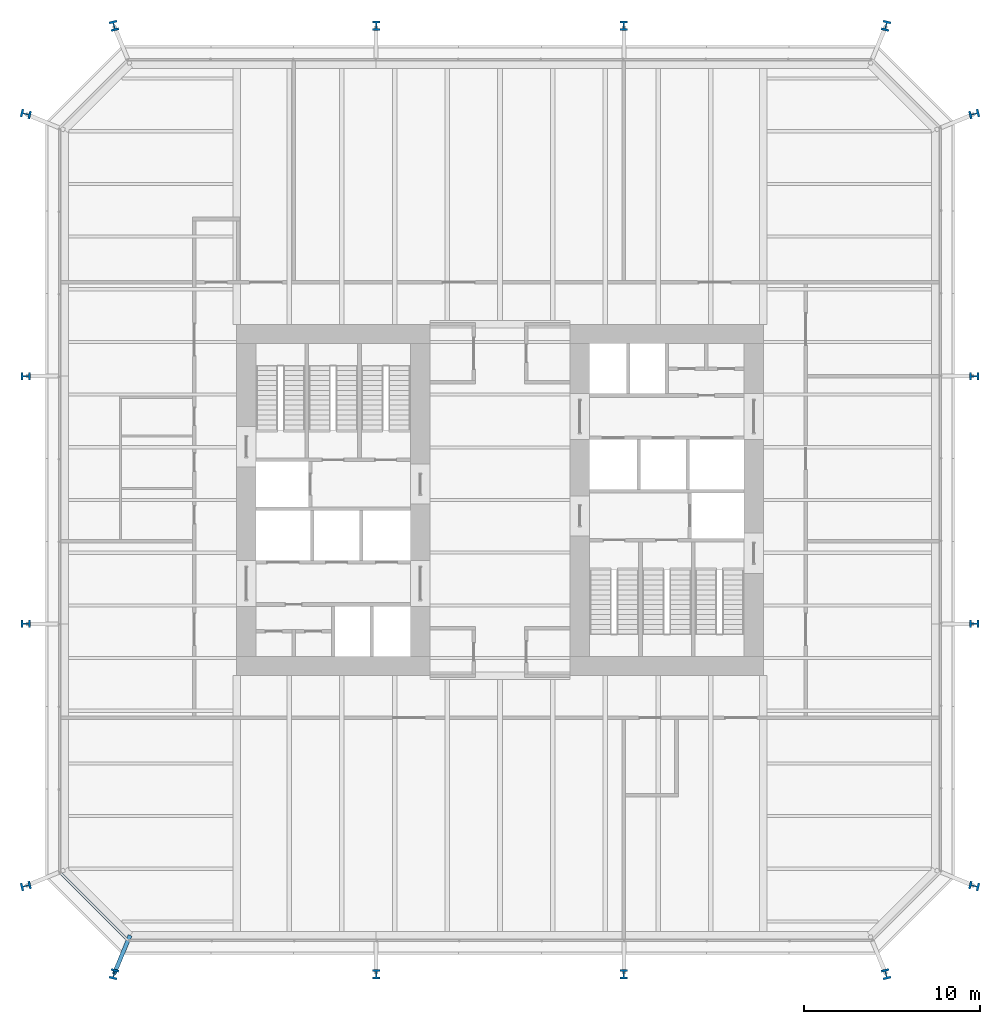
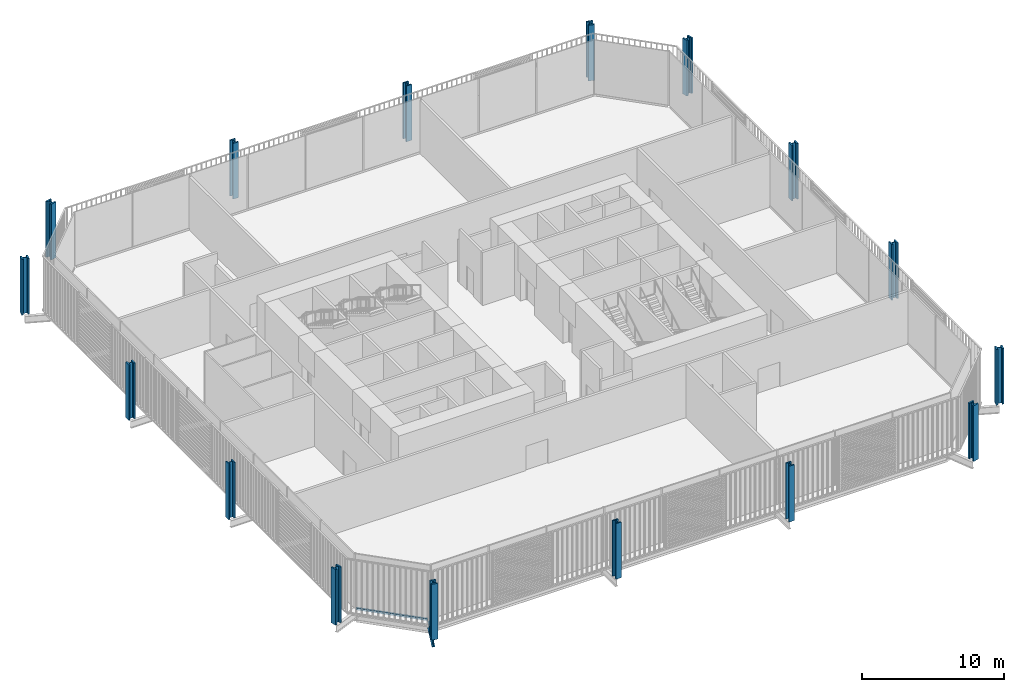
# One storey, part 1 of 22: 16 columns, 1 beam, 1 member, 1 element without a shape of its own.
"""IFC4 building model written with IfcOpenShell, lengths in metres."""

from ifc_helpers import new_model, si_unit, direction, frame, origin, origin_2d, place, context, subcontext, project, spatial, rectangle, i_section, extrude, material, layer, layer_set, material_profile, profile_set, type_object, element, aggregate, save


model = new_model("IFC4")

# Units and contexts
model_context = context("Model", 3, precision=1e-05, world=origin(), true_north=direction((0.0, 1.0)))
body_context = subcontext(model_context, "Body", "Model", "MODEL_VIEW")
ifc_project = project(units=[si_unit("LENGTHUNIT", "METRE"), si_unit("AREAUNIT", "SQUARE_METRE"), si_unit("VOLUMEUNIT", "CUBIC_METRE"), si_unit("PLANEANGLEUNIT", "RADIAN"), si_unit("MASSUNIT", "GRAM", prefix="KILO")], contexts=[model_context])

# Site, building, storey
site_placement = place(None, origin())
site = spatial("IfcSite", under=ifc_project, at=site_placement, CompositionType="ELEMENT")
building_placement = place(site_placement, origin())
building = spatial("IfcBuilding", under=site, at=building_placement, Name="Millrace Tower", CompositionType="ELEMENT")
storey_placement = place(building_placement, frame((0.0, 0.0, 49.699951171875)))
storey = spatial("IfcBuildingStorey", under=building, at=storey_placement, Name="L11", CompositionType="ELEMENT", Elevation=49.699951171875)

# Columns
ifc_material_1 = material(Name="Steel ASTM A913 Grade 65", Category="steel")
ifc_material_profile_1 = material_profile(ifc_material_1, i_section(OverallWidth=0.44189453125, OverallDepth=0.53076171875, WebThickness=0.06591796875, FlangeThickness=0.105712890625, FilletRadius=0.01513671875, at=origin_2d()))
ifc_profile_set_1 = profile_set([ifc_material_profile_1], Name="Steel ASTM A913 Grade 65")
column_type_1 = type_object("IfcColumnType", Name="Exoskeleton column W14x605", PredefinedType="COLUMN", material=ifc_profile_set_1)
for number, where, z_axis, x_axis, name in (
    (1, (-7.050048828125, -27.0, 0.0), (0.0, 0.0, 1.0), (1.0, 0.0, 0.0), "COL-A-L11-X03"),
    (2, (7.050048828125, -27.0, 0.0), (0.0, 0.0, 1.0), (1.0, 0.0, 0.0), "COL-A-L11-X04"),
    (3, (27.0, -7.050048828125, 0.0), (0.0, 0.0, 1.0), (0.0, 1.0, 0.0), "COL-A-L11-X07"),
    (4, (27.0, 7.050048828125, 0.0), (0.0, 0.0, 1.0), (0.0, 1.0, 0.0), "COL-A-L11-X08"),
    (5, (7.050048828125, 27.0, 0.0), (0.0, 0.0, 1.0), (-1.0, 0.0, 0.0), "COL-A-L11-X11"),
    (6, (-7.050048828125, 27.0, 0.0), (0.0, 0.0, 1.0), (-1.0, 0.0, 0.0), "COL-A-L11-X12"),
    (7, (-27.0, 7.050048828125, 0.0), (0.0, 0.0, 1.0), (0.0, -1.0, 0.0), "COL-A-L11-X15"),
    (8, (-27.0, -7.050048828125, 0.0), (0.0, 0.0, 1.0), (0.0, -1.0, 0.0), "COL-A-L11-X16"),
):
    element("IfcColumn", number, at=place(storey_placement, frame(where, z_axis=z_axis, x_axis=x_axis)), inside=storey, type_object=column_type_1, Name=name, PredefinedType="COLUMN", context=body_context, shape_type="SweptSolid", body=[
        extrude(i_section(OverallWidth=0.44189453125, OverallDepth=0.53076171875, WebThickness=0.06591796875, FlangeThickness=0.105712890625, FilletRadius=0.01513671875, at=origin_2d()), origin(), (0.0, 0.0, 1.0), 4.800048828125),
    ])
ifc_material_2 = material(Name="Steel ASTM A913 Grade 65", Category="steel")
ifc_material_profile_2 = material_profile(ifc_material_2, i_section(OverallWidth=0.45458984375, OverallDepth=0.56884765625, WebThickness=0.077880859375, FlangeThickness=0.124755859375, FilletRadius=0.01513671875, at=origin_2d()))
ifc_profile_set_2 = profile_set([ifc_material_profile_2], Name="Steel ASTM A913 Grade 65")
column_type_2 = type_object("IfcColumnType", Name="Exoskeleton column W14x730", PredefinedType="COLUMN", material=ifc_profile_set_2)
for number, where, z_axis, x_axis, name in (
    (9, (-27.0, -21.978515625, 0.0), (0.0, 0.0, 1.0), (0.244094142872, -0.969751540043, 0.0), "COL-A-L11-X01"),
    (10, (-21.978515625, -27.0, 0.0), (0.0, 0.0, 1.0), (0.969751540043, -0.244094142872, 0.0), "COL-A-L11-X02"),
    (11, (21.978515625, -27.0, 0.0), (0.0, 0.0, 1.0), (0.969751540043, 0.244094142872, 0.0), "COL-A-L11-X05"),
    (12, (27.0, -21.978515625, 0.0), (0.0, 0.0, 1.0), (0.244094142872, 0.969751540043, 0.0), "COL-A-L11-X06"),
    (13, (27.0, 21.978515625, 0.0), (0.0, 0.0, 1.0), (-0.244094142872, 0.969751540043, 0.0), "COL-A-L11-X09"),
    (14, (21.978515625, 27.0, 0.0), (0.0, 0.0, 1.0), (-0.969751540043, 0.244094142872, 0.0), "COL-A-L11-X10"),
    (15, (-21.978515625, 27.0, 0.0), (0.0, 0.0, 1.0), (-0.969751540043, -0.244094142872, 0.0), "COL-A-L11-X13"),
    (16, (-27.0, 21.978515625, 0.0), (0.0, 0.0, 1.0), (-0.244094142872, -0.969751540043, 0.0), "COL-A-L11-X14"),
):
    element("IfcColumn", number, at=place(storey_placement, frame(where, z_axis=z_axis, x_axis=x_axis)), inside=storey, type_object=column_type_2, Name=name, PredefinedType="COLUMN", context=body_context, shape_type="SweptSolid", body=[
        extrude(i_section(OverallWidth=0.45458984375, OverallDepth=0.56884765625, WebThickness=0.077880859375, FlangeThickness=0.124755859375, FilletRadius=0.01513671875, at=origin_2d()), origin(), (0.0, 0.0, 1.0), 4.800048828125),
    ])

# Curtain wall, member
ifc_material_3 = material(Name="Aluminium and glass", Category="aluminium")
ifc_layer = layer(ifc_material_3, 0.14990234375)
ifc_layer_set = layer_set([ifc_layer], Name="Aluminium and glass")
curtain_wall_type = type_object("IfcCurtainWallType", Name="CW-2 data hall insulated curtain wall", PredefinedType="NOTDEFINED", material=ifc_layer_set)
curtain_wall_placement = place(storey_placement, origin())
curtain_wall = element("IfcCurtainWall", 17, at=curtain_wall_placement, inside=storey, type_object=curtain_wall_type, Name="Curtain wall A-F01 L11", PredefinedType="NOTDEFINED")
ifc_material_4 = material(Name="Aluminium", Category="aluminium")
ifc_material_profile_3 = material_profile(ifc_material_4, rectangle(XDim=0.14990234375, YDim=0.159912109375, at=origin_2d()))
ifc_profile_set_3 = profile_set([ifc_material_profile_3], Name="Aluminium")
member_type = type_object("IfcMemberType", Name="CW-2 data hall insulated curtain wall transom", PredefinedType="USERDEFINED", material=ifc_profile_set_3)
member_placement = place(storey_placement, frame((-24.982421875, -21.273681640625, 0.080078125), z_axis=(0.707106781187, -0.707106781187, 0.0), x_axis=(0.707106781187, 0.707106781187, 0.0)))
member = element("IfcMember", 18, at=member_placement, type_object=member_type, Name="CW2 transom A-F01.1", ObjectType="TRANSOM", PredefinedType="USERDEFINED", context=body_context, shape_type="SweptSolid", body=[
    extrude(rectangle(XDim=0.14990234375, YDim=0.159912109375, at=origin_2d()), origin(), (0.0, 0.0, 1.0), 5.244873046875),
])
aggregate(curtain_wall, [member])

# Beam
ifc_material_5 = material(Name="Steel ASTM A992 Grade 50", Category="steel")
ifc_material_profile_4 = material_profile(ifc_material_5, i_section(OverallWidth=0.23046875, OverallDepth=0.6171875, WebThickness=0.01318359375, FlangeThickness=0.022216796875, FilletRadius=0.012939453125, at=origin_2d()))
ifc_profile_set_4 = profile_set([ifc_material_profile_4], Name="Steel ASTM A992 Grade 50")
beam_type = type_object("IfcBeamType", Name="Link beam W24x94", PredefinedType="BEAM", material=ifc_profile_set_4)
beam_placement = place(storey_placement, frame((-21.062744140625, -24.7890625, -0.533447265625), z_axis=(-0.382673155247, -0.923883789366, 0.0), x_axis=(0.923883789366, -0.382673155247, 0.0)))
element("IfcBeam", 19, at=beam_placement, inside=storey, type_object=beam_type, Name="LNK-A-L11-S1-16", PredefinedType="BEAM", context=body_context, shape_type="SweptSolid", body=[
    extrude(i_section(OverallWidth=0.23046875, OverallDepth=0.6171875, WebThickness=0.01318359375, FlangeThickness=0.022216796875, FilletRadius=0.012939453125, at=origin_2d()), origin(), (0.0, 0.0, 1.0), 2.39306640625),
])

save(model, "model.ifc")
